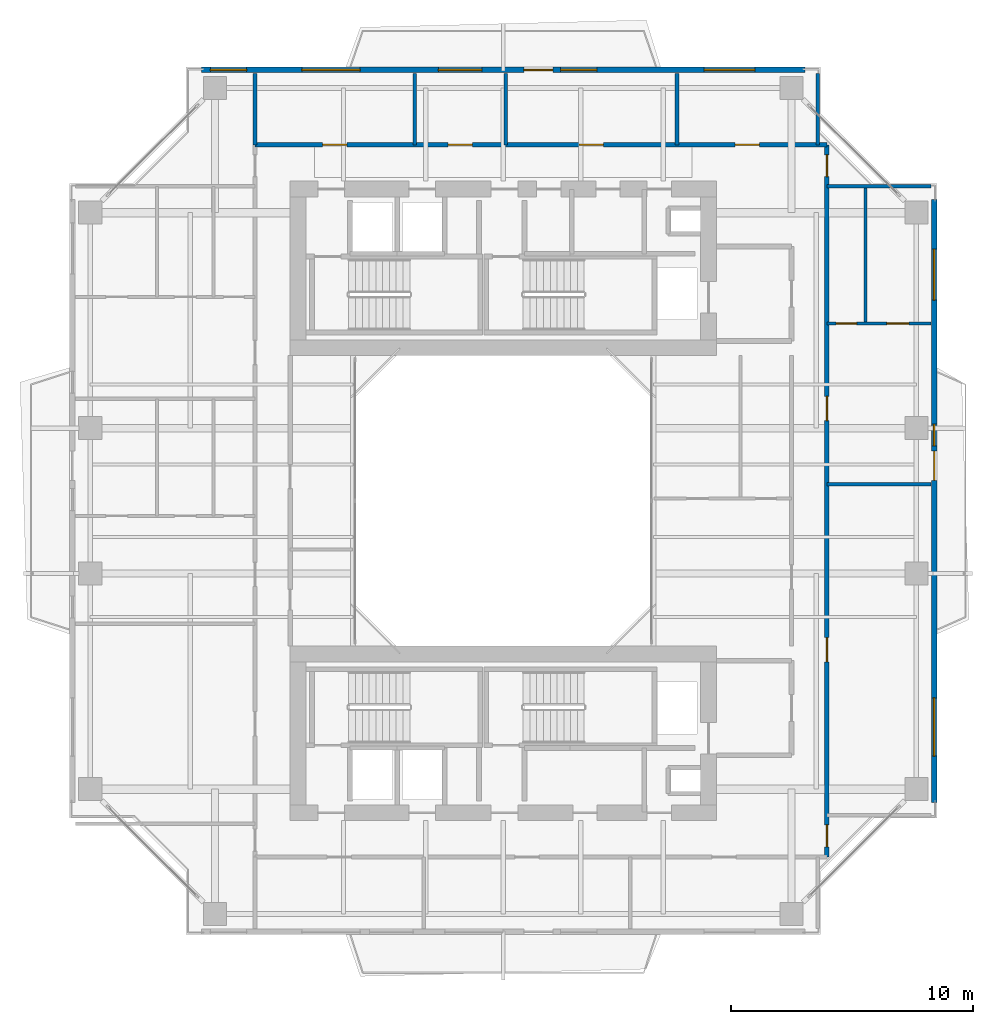
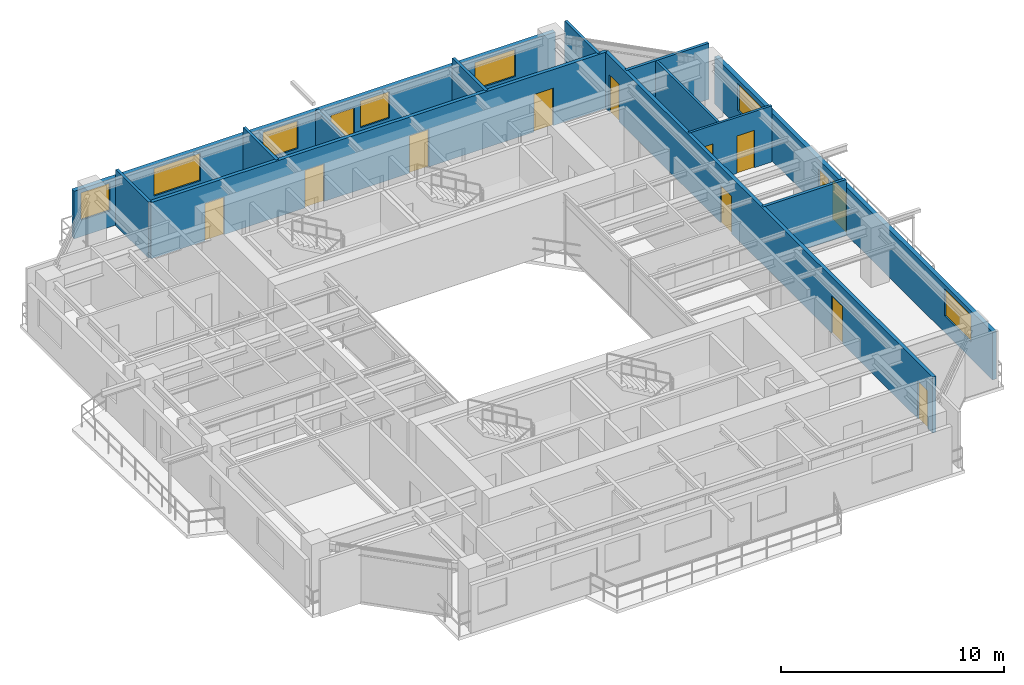
# One storey, part 14 of 18: 13 walls, 12 doors, 8 windows, 20 openings.
"""IFC4 building model written with IfcOpenShell, lengths in metres."""

from ifc_helpers import new_model, si_unit, direction, frame, frame_2d, origin, place, context, subcontext, project, spatial, rectangle, extrude, source, transform, mapped, material, layer, layer_set, type_object, element, fill, save


model = new_model("IFC4")

# Units and contexts
model_context = context("Model", 3, precision=1e-05, world=origin(), true_north=direction((0.0, 1.0)))
body_context = subcontext(model_context, "Body", "Model", "MODEL_VIEW")
ifc_project = project(units=[si_unit("LENGTHUNIT", "METRE"), si_unit("AREAUNIT", "SQUARE_METRE"), si_unit("VOLUMEUNIT", "CUBIC_METRE"), si_unit("PLANEANGLEUNIT", "RADIAN"), si_unit("MASSUNIT", "GRAM", prefix="KILO"), si_unit("THERMODYNAMICTEMPERATUREUNIT", "KELVIN"), si_unit("POWERUNIT", "WATT")], contexts=[model_context])

# Site, building, storey
site_placement = place(None, origin())
site = spatial("IfcSite", under=ifc_project, at=site_placement, CompositionType="ELEMENT")
building_placement = place(site_placement, origin())
building = spatial("IfcBuilding", under=site, at=building_placement, Name="Qiaomeng Ring Towers", CompositionType="ELEMENT")
storey_placement = place(building_placement, frame((0.0, 0.0, 147.0)))
storey = spatial("IfcBuildingStorey", under=building, at=storey_placement, Name="L42", CompositionType="ELEMENT", Elevation=147.0)

# Wall, openings, windows, door
ifc_material_1 = material(Name="Precast concrete C40", Category="concrete")
ifc_layer_1 = layer(ifc_material_1, 0.219970703125, Name="Precast concrete C40")
ifc_layer_set_1 = layer_set([ifc_layer_1], Name="Precast concrete C40")
wall_type_1 = type_object("IfcWallType", Name="ARC-WL-EW2", PredefinedType="STANDARD", material=ifc_layer_set_1)
wall_1_placement = place(storey_placement, frame((6.550048828125, 40.7900390625, 0.0), z_axis=(0.0, 0.0, 1.0), x_axis=(1.0, 0.0, 0.0)))
wall_1 = element("IfcWall", 1, at=wall_1_placement, inside=storey, type_object=wall_type_1, Name="L42 Tower 1 N Exterior Wall", PredefinedType="STANDARD", context=body_context, shape_type="SweptSolid", body=[
    extrude(rectangle(XDim=24.89990234375, YDim=0.219970703125, at=frame_2d((12.449951171875, 0.0))), origin(), (0.0, 0.0, 1.0), 2.610107421875),
])
opening_1_placement = place(wall_1_placement, frame((13.300048828125, 0.0, 0.0)))
opening_1 = element("IfcOpeningElement", 2, at=opening_1_placement, cuts=wall_1, Name="Opening BD1", PredefinedType="OPENING", context=body_context, shape_type="SweptSolid", body=[
    extrude(rectangle(XDim=1.199951171875, YDim=2.10009765625, at=frame_2d((0.60009765625, 1.050048828125))), frame((0.0, 0.119873046875, 0.0), z_axis=(0.0, -1.0, 0.0), x_axis=(1.0, 0.0, 0.0)), (0.0, 0.0, 1.0), 0.239990234375),
])
opening_2_placement = place(wall_1_placement, frame((0.357421875, 0.0, 0.89990234375)))
opening_2 = element("IfcOpeningElement", 3, at=opening_2_placement, cuts=wall_1, Name="Opening WN2", PredefinedType="OPENING", context=body_context, shape_type="SweptSolid", body=[
    extrude(rectangle(XDim=1.5, YDim=1.5, at=frame_2d((0.75, 0.75))), frame((0.0, 0.119873046875, 0.0), z_axis=(0.0, -1.0, 0.0), x_axis=(1.0, 0.0, 0.0)), (0.0, 0.0, 1.0), 0.239990234375),
])
opening_3_placement = place(wall_1_placement, frame((9.77001953125, 0.0, 0.89990234375)))
opening_3 = element("IfcOpeningElement", 4, at=opening_3_placement, cuts=wall_1, Name="Opening WN1", PredefinedType="OPENING", context=body_context, shape_type="SweptSolid", body=[
    extrude(rectangle(XDim=1.800048828125, YDim=1.5, at=frame_2d((0.89990234375, 0.75))), frame((0.0, 0.119873046875, 0.0), z_axis=(0.0, -1.0, 0.0), x_axis=(1.0, 0.0, 0.0)), (0.0, 0.0, 1.0), 0.239990234375),
])
opening_4_placement = place(wall_1_placement, frame((14.81298828125, 0.0, 0.89990234375)))
opening_4 = element("IfcOpeningElement", 5, at=opening_4_placement, cuts=wall_1, Name="Opening WN2", PredefinedType="OPENING", context=body_context, shape_type="SweptSolid", body=[
    extrude(rectangle(XDim=1.5, YDim=1.449951171875, at=frame_2d((0.75, 0.72509765625))), frame((0.0, 0.119873046875, 0.0), z_axis=(0.0, -1.0, 0.0), x_axis=(1.0, 0.0, 0.0)), (0.0, 0.0, 1.0), 0.239990234375),
])
opening_5_placement = place(wall_1_placement, frame((20.738037109375, 0.0, 0.89990234375)))
opening_5 = element("IfcOpeningElement", 6, at=opening_5_placement, cuts=wall_1, Name="Opening WN4", PredefinedType="OPENING", context=body_context, shape_type="SweptSolid", body=[
    extrude(rectangle(XDim=2.10009765625, YDim=1.47998046875, at=frame_2d((1.050048828125, 0.739990234375))), frame((0.0, 0.119873046875, 0.0), z_axis=(0.0, -1.0, 0.0), x_axis=(1.0, 0.0, 0.0)), (0.0, 0.0, 1.0), 0.239990234375),
])
opening_6_placement = place(wall_1_placement, frame((4.136474609375, 0.0, 0.89990234375)))
opening_6 = element("IfcOpeningElement", 7, at=opening_6_placement, cuts=wall_1, Name="Opening WN6", PredefinedType="OPENING", context=body_context, shape_type="SweptSolid", body=[
    extrude(rectangle(XDim=2.39990234375, YDim=1.5, at=frame_2d((1.199951171875, 0.75))), frame((0.0, 0.119873046875, 0.0), z_axis=(0.0, -1.0, 0.0), x_axis=(1.0, 0.0, 0.0)), (0.0, 0.0, 1.0), 0.239990234375),
])
ifc_material_2 = material(Name="Low-E dark-grey laminated double glazing", Category="glass")
window_type_1 = type_object("IfcWindowType", Name="ARC-WN-2", PartitioningType="DOUBLE_PANEL_VERTICAL", PredefinedType="WINDOW", material=ifc_material_2)
shared_shape_1 = source(origin(), body_context, "Body", "SweptSolid", [
    extrude(rectangle(XDim=1.5, YDim=1.449951171875, at=frame_2d((0.75, 0.72509765625))), frame((0.0, 0.030029296875, 0.0), z_axis=(0.0, -1.0, 0.0), x_axis=(1.0, 0.0, 0.0)), (0.0, 0.0, 1.0), 0.06005859375),
])
window_1_placement = place(opening_4_placement, origin())
window_1 = element("IfcWindow", 8, at=window_1_placement, inside=storey, type_object=window_type_1, Name="L42 Exterior Window WN2", OverallHeight=1.449951171875, OverallWidth=1.5, PartitioningType="DOUBLE_PANEL_VERTICAL", PredefinedType="WINDOW", context=body_context, shape_type="MappedRepresentation", body=[
    mapped(shared_shape_1, transform((0.0, 0.0, 0.0), x_axis=(1.0, 0.0, 0.0), y_axis=(0.0, 1.0, 0.0), z_axis=(0.0, 0.0, 1.0), scale=1.0)),
])
fill(opening_4, window_1)
window_type_2 = type_object("IfcWindowType", Name="ARC-WN-4", PartitioningType="TRIPLE_PANEL_VERTICAL", PredefinedType="WINDOW", material=ifc_material_2)
shared_shape_2 = source(origin(), body_context, "Body", "SweptSolid", [
    extrude(rectangle(XDim=2.10009765625, YDim=1.47998046875, at=frame_2d((1.050048828125, 0.739990234375))), frame((0.0, 0.030029296875, 0.0), z_axis=(0.0, -1.0, 0.0), x_axis=(1.0, 0.0, 0.0)), (0.0, 0.0, 1.0), 0.06005859375),
])
window_2_placement = place(opening_5_placement, origin())
window_2 = element("IfcWindow", 9, at=window_2_placement, inside=storey, type_object=window_type_2, Name="L42 Exterior Window WN4", OverallHeight=1.47998046875, OverallWidth=2.10009765625, PartitioningType="TRIPLE_PANEL_VERTICAL", PredefinedType="WINDOW", context=body_context, shape_type="MappedRepresentation", body=[
    mapped(shared_shape_2, transform((0.0, 0.0, 0.0), x_axis=(1.0, 0.0, 0.0), y_axis=(0.0, 1.0, 0.0), z_axis=(0.0, 0.0, 1.0), scale=1.0)),
])
fill(opening_5, window_2)
door_type_1 = type_object("IfcDoorType", Name="ARC-DR-BD1", OperationType="NOTDEFINED", PredefinedType="DOOR", material=ifc_material_2)
shared_shape_3 = source(origin(), body_context, "Body", "SweptSolid", [
    extrude(rectangle(XDim=1.199951171875, YDim=2.10009765625, at=frame_2d((0.60009765625, 1.050048828125))), frame((0.0, 0.02490234375, 0.0), z_axis=(0.0, -1.0, 0.0), x_axis=(1.0, 0.0, 0.0)), (0.0, 0.0, 1.0), 0.050048828125),
])
door_1_placement = place(opening_1_placement, origin())
door_1 = element("IfcDoor", 10, at=door_1_placement, inside=storey, type_object=door_type_1, Name="L42 N Balcony Glazed Door", OperationType="SINGLE_SWING_LEFT", OverallHeight=2.10009765625, OverallWidth=1.199951171875, PredefinedType="DOOR", context=body_context, shape_type="MappedRepresentation", body=[
    mapped(shared_shape_3, transform((0.0, 0.0, 0.0), x_axis=(1.0, 0.0, 0.0), y_axis=(0.0, 1.0, 0.0), z_axis=(0.0, 0.0, 1.0), scale=1.0)),
])
fill(opening_1, door_1)
shared_shape_4 = source(origin(), body_context, "Body", "SweptSolid", [
    extrude(rectangle(XDim=1.5, YDim=1.5, at=frame_2d((0.75, 0.75))), frame((0.0, 0.030029296875, 0.0), z_axis=(0.0, -1.0, 0.0), x_axis=(1.0, 0.0, 0.0)), (0.0, 0.0, 1.0), 0.06005859375),
])
window_3_placement = place(opening_2_placement, origin())
window_3 = element("IfcWindow", 11, at=window_3_placement, inside=storey, type_object=window_type_1, Name="L42 Exterior Window WN6", OverallHeight=1.5, OverallWidth=1.5, PartitioningType="TRIPLE_PANEL_VERTICAL", PredefinedType="WINDOW", context=body_context, shape_type="MappedRepresentation", body=[
    mapped(shared_shape_4, transform((0.0, 0.0, 0.0), x_axis=(1.0, 0.0, 0.0), y_axis=(0.0, 1.0, 0.0), z_axis=(0.0, 0.0, 1.0), scale=1.0)),
])
fill(opening_2, window_3)
window_type_3 = type_object("IfcWindowType", Name="ARC-WN-6", PartitioningType="TRIPLE_PANEL_VERTICAL", PredefinedType="WINDOW", material=ifc_material_2)
shared_shape_5 = source(origin(), body_context, "Body", "SweptSolid", [
    extrude(rectangle(XDim=2.39990234375, YDim=1.5, at=frame_2d((1.199951171875, 0.75))), frame((0.0, 0.030029296875, 0.0), z_axis=(0.0, -1.0, 0.0), x_axis=(1.0, 0.0, 0.0)), (0.0, 0.0, 1.0), 0.06005859375),
])
window_4_placement = place(opening_6_placement, origin())
window_4 = element("IfcWindow", 12, at=window_4_placement, inside=storey, type_object=window_type_3, Name="L42 Exterior Window WN6", OverallHeight=1.5, OverallWidth=2.39990234375, PartitioningType="TRIPLE_PANEL_VERTICAL", PredefinedType="WINDOW", context=body_context, shape_type="MappedRepresentation", body=[
    mapped(shared_shape_5, transform((0.0, 0.0, 0.0), x_axis=(1.0, 0.0, 0.0), y_axis=(0.0, 1.0, 0.0), z_axis=(0.0, 0.0, 1.0), scale=1.0)),
])
fill(opening_6, window_4)
window_type_4 = type_object("IfcWindowType", Name="ARC-WN-1", PartitioningType="DOUBLE_PANEL_VERTICAL", PredefinedType="WINDOW", material=ifc_material_2)
shared_shape_6 = source(origin(), body_context, "Body", "SweptSolid", [
    extrude(rectangle(XDim=1.800048828125, YDim=1.5, at=frame_2d((0.89990234375, 0.75))), frame((0.0, 0.030029296875, 0.0), z_axis=(0.0, -1.0, 0.0), x_axis=(1.0, 0.0, 0.0)), (0.0, 0.0, 1.0), 0.06005859375),
])
window_5_placement = place(opening_3_placement, origin())
window_5 = element("IfcWindow", 13, at=window_5_placement, inside=storey, type_object=window_type_4, Name="L42 Exterior Window WN1", OverallHeight=1.5, OverallWidth=1.800048828125, PartitioningType="DOUBLE_PANEL_VERTICAL", PredefinedType="WINDOW", context=body_context, shape_type="MappedRepresentation", body=[
    mapped(shared_shape_6, transform((0.0, 0.0, 0.0), x_axis=(1.0, 0.0, 0.0), y_axis=(0.0, 1.0, 0.0), z_axis=(0.0, 0.0, 1.0), scale=1.0)),
])
fill(opening_3, window_5)

wall_2_placement = place(storey_placement, frame((36.7900390625, 10.550048828125, 0.0), z_axis=(0.0, 0.0, 1.0), x_axis=(0.0, 1.0, 0.0)))
wall_2 = element("IfcWall", 14, at=wall_2_placement, inside=storey, type_object=wall_type_1, Name="L42 Tower 1 E Exterior Wall", PredefinedType="STANDARD", context=body_context, shape_type="SweptSolid", body=[
    extrude(rectangle(XDim=24.89990234375, YDim=0.219970703125, at=frame_2d((12.449951171875, 0.0))), origin(), (0.0, 0.0, 1.0), 2.610107421875),
])
opening_7_placement = place(wall_2_placement, frame((13.300048828125, 0.0, 0.0)))
opening_7 = element("IfcOpeningElement", 15, at=opening_7_placement, cuts=wall_2, Name="Opening BD1", PredefinedType="OPENING", context=body_context, shape_type="SweptSolid", body=[
    extrude(rectangle(XDim=1.199951171875, YDim=2.10009765625, at=frame_2d((0.60009765625, 1.050048828125))), frame((0.0, 0.119873046875, 0.0), z_axis=(0.0, -1.0, 0.0), x_axis=(1.0, 0.0, 0.0)), (0.0, 0.0, 1.0), 0.239990234375),
])
opening_8_placement = place(wall_2_placement, frame((1.912109375, 0.0, 0.89990234375)))
opening_8 = element("IfcOpeningElement", 16, at=opening_8_placement, cuts=wall_2, Name="Opening WN6", PredefinedType="OPENING", context=body_context, shape_type="SweptSolid", body=[
    extrude(rectangle(XDim=2.39990234375, YDim=1.47998046875, at=frame_2d((1.199951171875, 0.739990234375))), frame((0.0, 0.119873046875, 0.0), z_axis=(0.0, -1.0, 0.0), x_axis=(1.0, 0.0, 0.0)), (0.0, 0.0, 1.0), 0.239990234375),
])
opening_9_placement = place(wall_2_placement, frame((20.737060546875, 0.0, 0.89990234375)))
opening_9 = element("IfcOpeningElement", 17, at=opening_9_placement, cuts=wall_2, Name="Opening WN4", PredefinedType="OPENING", context=body_context, shape_type="SweptSolid", body=[
    extrude(rectangle(XDim=2.10009765625, YDim=1.47998046875, at=frame_2d((1.050048828125, 0.739990234375))), frame((0.0, 0.119873046875, 0.0), z_axis=(0.0, -1.0, 0.0), x_axis=(1.0, 0.0, 0.0)), (0.0, 0.0, 1.0), 0.239990234375),
])
opening_10_placement = place(wall_2_placement, frame((14.719970703125, 0.0, 0.89990234375)))
opening_10 = element("IfcOpeningElement", 18, at=opening_10_placement, cuts=wall_2, Name="Opening WN5", PredefinedType="OPENING", context=body_context, shape_type="SweptSolid", body=[
    extrude(rectangle(XDim=0.89990234375, YDim=1.199951171875, at=frame_2d((0.449951171875, 0.60009765625))), frame((0.0, 0.119873046875, 0.0), z_axis=(0.0, -1.0, 0.0), x_axis=(1.0, 0.0, 0.0)), (0.0, 0.0, 1.0), 0.239990234375),
])
window_6_placement = place(opening_9_placement, origin())
window_6 = element("IfcWindow", 19, at=window_6_placement, inside=storey, type_object=window_type_2, Name="L42 Exterior Window WN4", OverallHeight=1.47998046875, OverallWidth=2.10009765625, PartitioningType="TRIPLE_PANEL_VERTICAL", PredefinedType="WINDOW", context=body_context, shape_type="MappedRepresentation", body=[
    mapped(shared_shape_2, transform((0.0, 0.0, 0.0), x_axis=(1.0, 0.0, 0.0), y_axis=(0.0, 1.0, 0.0), z_axis=(0.0, 0.0, 1.0), scale=1.0)),
])
fill(opening_9, window_6)
shared_shape_7 = source(origin(), body_context, "Body", "SweptSolid", [
    extrude(rectangle(XDim=2.39990234375, YDim=1.47998046875, at=frame_2d((1.199951171875, 0.739990234375))), frame((0.0, 0.030029296875, 0.0), z_axis=(0.0, -1.0, 0.0), x_axis=(1.0, 0.0, 0.0)), (0.0, 0.0, 1.0), 0.06005859375),
])
window_7_placement = place(opening_8_placement, origin())
window_7 = element("IfcWindow", 20, at=window_7_placement, inside=storey, type_object=window_type_3, Name="L42 Exterior Window WN6", OverallHeight=1.47998046875, OverallWidth=2.39990234375, PartitioningType="TRIPLE_PANEL_VERTICAL", PredefinedType="WINDOW", context=body_context, shape_type="MappedRepresentation", body=[
    mapped(shared_shape_7, transform((0.0, 0.0, 0.0), x_axis=(1.0, 0.0, 0.0), y_axis=(0.0, 1.0, 0.0), z_axis=(0.0, 0.0, 1.0), scale=1.0)),
])
fill(opening_8, window_7)
door_2_placement = place(opening_7_placement, origin())
door_2 = element("IfcDoor", 21, at=door_2_placement, inside=storey, type_object=door_type_1, Name="L42 E Balcony Glazed Door", OperationType="SINGLE_SWING_LEFT", OverallHeight=2.10009765625, OverallWidth=1.199951171875, PredefinedType="DOOR", context=body_context, shape_type="MappedRepresentation", body=[
    mapped(shared_shape_3, transform((0.0, 0.0, 0.0), x_axis=(1.0, 0.0, 0.0), y_axis=(0.0, 1.0, 0.0), z_axis=(0.0, 0.0, 1.0), scale=1.0)),
])
fill(opening_7, door_2)
window_type_5 = type_object("IfcWindowType", Name="ARC-WN-5", PartitioningType="SINGLE_PANEL", PredefinedType="WINDOW", material=ifc_material_2)
shared_shape_8 = source(origin(), body_context, "Body", "SweptSolid", [
    extrude(rectangle(XDim=0.89990234375, YDim=1.199951171875, at=frame_2d((0.449951171875, 0.60009765625))), frame((0.0, 0.030029296875, 0.0), z_axis=(0.0, -1.0, 0.0), x_axis=(1.0, 0.0, 0.0)), (0.0, 0.0, 1.0), 0.06005859375),
])
window_8_placement = place(opening_10_placement, origin())
window_8 = element("IfcWindow", 22, at=window_8_placement, inside=storey, type_object=window_type_5, Name="L42 Exterior Window WN5", OverallHeight=1.199951171875, OverallWidth=0.89990234375, PartitioningType="SINGLE_PANEL", PredefinedType="WINDOW", context=body_context, shape_type="MappedRepresentation", body=[
    mapped(shared_shape_8, transform((0.0, 0.0, 0.0), x_axis=(1.0, 0.0, 0.0), y_axis=(0.0, 1.0, 0.0), z_axis=(0.0, 0.0, 1.0), scale=1.0)),
])
fill(opening_10, window_8)

# Wall, openings, doors
ifc_material_3 = material(Name="Autoclaved aerated concrete block", Category="concrete")
ifc_layer_2 = layer(ifc_material_3, 0.179931640625, Name="Autoclaved aerated concrete block")
ifc_layer_set_2 = layer_set([ifc_layer_2], Name="Autoclaved aerated concrete block")
wall_type_2 = type_object("IfcWallType", Name="ARC-WL-PW2", PredefinedType="PARTITIONING", material=ifc_layer_set_2)
wall_3_placement = place(storey_placement, frame((8.75, 37.699951171875, 0.0), z_axis=(0.0, 0.0, 1.0), x_axis=(1.0, 0.0, 0.0)))
wall_3 = element("IfcWall", 23, at=wall_3_placement, inside=storey, type_object=wall_type_2, Name="L42 Interior Wall PW2", PredefinedType="PARTITIONING", context=body_context, shape_type="SweptSolid", body=[
    extrude(rectangle(XDim=23.610107421875, YDim=0.179931640625, at=frame_2d((11.80517578125, 0.0))), origin(), (0.0, 0.0, 1.0), 3.070068359375),
])
opening_11_placement = place(wall_3_placement, frame((2.794921875, 0.0, 0.0)))
opening_11 = element("IfcOpeningElement", 24, at=opening_11_placement, cuts=wall_3, Name="Opening FD4", PredefinedType="OPENING", context=body_context, shape_type="SweptSolid", body=[
    extrude(rectangle(XDim=1.0, YDim=2.050048828125, at=frame_2d((0.5, 1.02490234375))), frame((0.0, 0.099853515625, 0.0), z_axis=(0.0, -1.0, 0.0), x_axis=(1.0, 0.0, 0.0)), (0.0, 0.0, 1.0), 0.199951171875),
])
opening_12_placement = place(wall_3_placement, frame((7.969970703125, 0.0, 0.0)))
opening_12 = element("IfcOpeningElement", 25, at=opening_12_placement, cuts=wall_3, Name="Opening FD4", PredefinedType="OPENING", context=body_context, shape_type="SweptSolid", body=[
    extrude(rectangle(XDim=1.0, YDim=2.050048828125, at=frame_2d((0.5, 1.02490234375))), frame((0.0, 0.099853515625, 0.0), z_axis=(0.0, -1.0, 0.0), x_axis=(1.0, 0.0, 0.0)), (0.0, 0.0, 1.0), 0.199951171875),
])
opening_13_placement = place(wall_3_placement, frame((13.385009765625, 0.0, 0.0)))
opening_13 = element("IfcOpeningElement", 26, at=opening_13_placement, cuts=wall_3, Name="Opening FD4", PredefinedType="OPENING", context=body_context, shape_type="SweptSolid", body=[
    extrude(rectangle(XDim=1.0, YDim=2.050048828125, at=frame_2d((0.5, 1.02490234375))), frame((0.0, 0.099853515625, 0.0), z_axis=(0.0, -1.0, 0.0), x_axis=(1.0, 0.0, 0.0)), (0.0, 0.0, 1.0), 0.199951171875),
])
opening_14_placement = place(wall_3_placement, frame((19.824951171875, 0.0, 0.0)))
opening_14 = element("IfcOpeningElement", 27, at=opening_14_placement, cuts=wall_3, Name="Opening FD4", PredefinedType="OPENING", context=body_context, shape_type="SweptSolid", body=[
    extrude(rectangle(XDim=1.0, YDim=2.050048828125, at=frame_2d((0.5, 1.02490234375))), frame((0.0, 0.099853515625, 0.0), z_axis=(0.0, -1.0, 0.0), x_axis=(1.0, 0.0, 0.0)), (0.0, 0.0, 1.0), 0.199951171875),
])
ifc_material_4 = material(Name="Engineered fire-rated oak timber", Category="wood")
door_type_2 = type_object("IfcDoorType", Name="ARC-DR-FD4", OperationType="NOTDEFINED", PredefinedType="DOOR", material=ifc_material_4)
shared_shape_9 = source(origin(), body_context, "Body", "SweptSolid", [
    extrude(rectangle(XDim=1.0, YDim=2.050048828125, at=frame_2d((0.5, 1.02490234375))), frame((0.0, 0.02490234375, 0.0), z_axis=(0.0, -1.0, 0.0), x_axis=(1.0, 0.0, 0.0)), (0.0, 0.0, 1.0), 0.050048828125),
])
door_3_placement = place(opening_11_placement, origin())
door_3 = element("IfcDoor", 28, at=door_3_placement, inside=storey, type_object=door_type_2, Name="L42 Door FD4", OperationType="SINGLE_SWING_LEFT", OverallHeight=2.050048828125, OverallWidth=1.0, PredefinedType="DOOR", context=body_context, shape_type="MappedRepresentation", body=[
    mapped(shared_shape_9, transform((0.0, 0.0, 0.0), x_axis=(1.0, 0.0, 0.0), y_axis=(0.0, 1.0, 0.0), z_axis=(0.0, 0.0, 1.0), scale=1.0)),
])
fill(opening_11, door_3)
door_4_placement = place(opening_12_placement, origin())
door_4 = element("IfcDoor", 29, at=door_4_placement, inside=storey, type_object=door_type_2, Name="L42 Door FD4", OperationType="SINGLE_SWING_RIGHT", OverallHeight=2.050048828125, OverallWidth=1.0, PredefinedType="DOOR", context=body_context, shape_type="MappedRepresentation", body=[
    mapped(shared_shape_9, transform((0.0, 0.0, 0.0), x_axis=(1.0, 0.0, 0.0), y_axis=(0.0, 1.0, 0.0), z_axis=(0.0, 0.0, 1.0), scale=1.0)),
])
fill(opening_12, door_4)
door_5_placement = place(opening_13_placement, origin())
door_5 = element("IfcDoor", 30, at=door_5_placement, inside=storey, type_object=door_type_2, Name="L42 Door FD4", OperationType="SINGLE_SWING_LEFT", OverallHeight=2.050048828125, OverallWidth=1.0, PredefinedType="DOOR", context=body_context, shape_type="MappedRepresentation", body=[
    mapped(shared_shape_9, transform((0.0, 0.0, 0.0), x_axis=(1.0, 0.0, 0.0), y_axis=(0.0, 1.0, 0.0), z_axis=(0.0, 0.0, 1.0), scale=1.0)),
])
fill(opening_13, door_5)
door_6_placement = place(opening_14_placement, origin())
door_6 = element("IfcDoor", 31, at=door_6_placement, inside=storey, type_object=door_type_2, Name="L42 Door FD4", OperationType="SINGLE_SWING_RIGHT", OverallHeight=2.050048828125, OverallWidth=1.0, PredefinedType="DOOR", context=body_context, shape_type="MappedRepresentation", body=[
    mapped(shared_shape_9, transform((0.0, 0.0, 0.0), x_axis=(1.0, 0.0, 0.0), y_axis=(0.0, 1.0, 0.0), z_axis=(0.0, 0.0, 1.0), scale=1.0)),
])
fill(opening_14, door_6)

wall_4_placement = place(storey_placement, frame((32.360107421875, 8.300048828125, 0.0), z_axis=(0.0, 0.0, 1.0), x_axis=(0.0, 1.0, 0.0)))
wall_4 = element("IfcWall", 32, at=wall_4_placement, inside=storey, type_object=wall_type_2, Name="L42 Interior Wall PW2", PredefinedType="PARTITIONING", context=body_context, shape_type="SweptSolid", body=[
    extrude(rectangle(XDim=29.39990234375, YDim=0.179931640625, at=frame_2d((14.699951171875, 0.0))), origin(), (0.0, 0.0, 1.0), 3.070068359375),
])
opening_15_placement = place(wall_4_placement, frame((28.080078125, 0.0, 0.0)))
opening_15 = element("IfcOpeningElement", 33, at=opening_15_placement, cuts=wall_4, Name="Opening ID1", PredefinedType="OPENING", context=body_context, shape_type="SweptSolid", body=[
    extrude(rectangle(XDim=0.89990234375, YDim=2.050048828125, at=frame_2d((0.449951171875, 1.02490234375))), frame((0.0, 0.099853515625, 0.0), z_axis=(0.0, -1.0, 0.0), x_axis=(1.0, 0.0, 0.0)), (0.0, 0.0, 1.0), 0.199951171875),
])
opening_16_placement = place(wall_4_placement, frame((0.419921875, 0.0, 0.0)))
opening_16 = element("IfcOpeningElement", 34, at=opening_16_placement, cuts=wall_4, Name="Opening ID1", PredefinedType="OPENING", context=body_context, shape_type="SweptSolid", body=[
    extrude(rectangle(XDim=0.89990234375, YDim=2.050048828125, at=frame_2d((0.449951171875, 1.02490234375))), frame((0.0, 0.099853515625, 0.0), z_axis=(0.0, -1.0, 0.0), x_axis=(1.0, 0.0, 0.0)), (0.0, 0.0, 1.0), 0.199951171875),
])
opening_17_placement = place(wall_4_placement, frame((8.050048828125, 0.0, 0.0)))
opening_17 = element("IfcOpeningElement", 35, at=opening_17_placement, cuts=wall_4, Name="Opening FD4", PredefinedType="OPENING", context=body_context, shape_type="SweptSolid", body=[
    extrude(rectangle(XDim=1.0, YDim=2.050048828125, at=frame_2d((0.5, 1.02490234375))), frame((0.0, 0.099853515625, 0.0), z_axis=(0.0, -1.0, 0.0), x_axis=(1.0, 0.0, 0.0)), (0.0, 0.0, 1.0), 0.199951171875),
])
opening_18_placement = place(wall_4_placement, frame((18.010009765625, 0.0, 0.0)))
opening_18 = element("IfcOpeningElement", 36, at=opening_18_placement, cuts=wall_4, Name="Opening FD4", PredefinedType="OPENING", context=body_context, shape_type="SweptSolid", body=[
    extrude(rectangle(XDim=1.0, YDim=2.050048828125, at=frame_2d((0.5, 1.02490234375))), frame((0.0, 0.099853515625, 0.0), z_axis=(0.0, -1.0, 0.0), x_axis=(1.0, 0.0, 0.0)), (0.0, 0.0, 1.0), 0.199951171875),
])
door_7_placement = place(opening_17_placement, origin())
door_7 = element("IfcDoor", 37, at=door_7_placement, inside=storey, type_object=door_type_2, Name="L42 Door FD4", OperationType="SINGLE_SWING_LEFT", OverallHeight=2.050048828125, OverallWidth=1.0, PredefinedType="DOOR", context=body_context, shape_type="MappedRepresentation", body=[
    mapped(shared_shape_9, transform((0.0, 0.0, 0.0), x_axis=(1.0, 0.0, 0.0), y_axis=(0.0, 1.0, 0.0), z_axis=(0.0, 0.0, 1.0), scale=1.0)),
])
fill(opening_17, door_7)
door_8_placement = place(opening_18_placement, origin())
door_8 = element("IfcDoor", 38, at=door_8_placement, inside=storey, type_object=door_type_2, Name="L42 Door FD4", OperationType="SINGLE_SWING_RIGHT", OverallHeight=2.050048828125, OverallWidth=1.0, PredefinedType="DOOR", context=body_context, shape_type="MappedRepresentation", body=[
    mapped(shared_shape_9, transform((0.0, 0.0, 0.0), x_axis=(1.0, 0.0, 0.0), y_axis=(0.0, 1.0, 0.0), z_axis=(0.0, 0.0, 1.0), scale=1.0)),
])
fill(opening_18, door_8)
ifc_material_5 = material(Name="Engineered oak timber", Category="wood")
door_type_3 = type_object("IfcDoorType", Name="ARC-DR-ID1", OperationType="NOTDEFINED", PredefinedType="DOOR", material=ifc_material_5)
shared_shape_10 = source(origin(), body_context, "Body", "SweptSolid", [
    extrude(rectangle(XDim=0.89990234375, YDim=2.050048828125, at=frame_2d((0.449951171875, 1.02490234375))), frame((0.0, 0.02490234375, 0.0), z_axis=(0.0, -1.0, 0.0), x_axis=(1.0, 0.0, 0.0)), (0.0, 0.0, 1.0), 0.050048828125),
])
door_9_placement = place(opening_15_placement, origin())
door_9 = element("IfcDoor", 39, at=door_9_placement, inside=storey, type_object=door_type_3, Name="L42 Door ID1", OperationType="SINGLE_SWING_LEFT", OverallHeight=2.050048828125, OverallWidth=0.89990234375, PredefinedType="DOOR", context=body_context, shape_type="MappedRepresentation", body=[
    mapped(shared_shape_10, transform((0.0, 0.0, 0.0), x_axis=(1.0, 0.0, 0.0), y_axis=(0.0, 1.0, 0.0), z_axis=(0.0, 0.0, 1.0), scale=1.0)),
])
fill(opening_15, door_9)
door_10_placement = place(opening_16_placement, origin())
door_10 = element("IfcDoor", 40, at=door_10_placement, inside=storey, type_object=door_type_3, Name="L42 Door ID1", OperationType="SINGLE_SWING_RIGHT", OverallHeight=2.050048828125, OverallWidth=0.89990234375, PredefinedType="DOOR", context=body_context, shape_type="MappedRepresentation", body=[
    mapped(shared_shape_10, transform((0.0, 0.0, 0.0), x_axis=(1.0, 0.0, 0.0), y_axis=(0.0, 1.0, 0.0), z_axis=(0.0, 0.0, 1.0), scale=1.0)),
])
fill(opening_16, door_10)

# Walls
ifc_material_6 = material(Name="Gypsum fireboard steel-stud partition", Category="steel")
ifc_layer_3 = layer(ifc_material_6, 0.14990234375, Name="Gypsum fireboard steel-stud partition")
ifc_layer_set_3 = layer_set([ifc_layer_3], Name="Gypsum fireboard steel-stud partition")
wall_type_3 = type_object("IfcWallType", Name="ARC-WL-PW3", PredefinedType="PARTITIONING", material=ifc_layer_set_3)
wall_5_placement = place(storey_placement, frame((15.340087890625, 37.699951171875, 0.0), z_axis=(0.0, 0.0, 1.0), x_axis=(0.0, 1.0, 0.0)))
element("IfcWall", 41, at=wall_5_placement, inside=storey, type_object=wall_type_3, Name="L42 Interior Wall PW3", PredefinedType="PARTITIONING", context=body_context, shape_type="SweptSolid", body=[
    extrude(rectangle(XDim=2.949951171875, YDim=0.14990234375, at=frame_2d((1.47509765625, 0.0))), origin(), (0.0, 0.0, 1.0), 3.070068359375),
])
wall_6_placement = place(storey_placement, frame((19.10009765625, 37.699951171875, 0.0), z_axis=(0.0, 0.0, 1.0), x_axis=(0.0, 1.0, 0.0)))
element("IfcWall", 42, at=wall_6_placement, inside=storey, type_object=wall_type_3, Name="L42 Interior Wall PW3", PredefinedType="PARTITIONING", context=body_context, shape_type="SweptSolid", body=[
    extrude(rectangle(XDim=2.949951171875, YDim=0.14990234375, at=frame_2d((1.47509765625, 0.0))), origin(), (0.0, 0.0, 1.0), 2.715087890625),
])
for number, where, z_axis, x_axis, name in (
    (43, (26.169921875, 37.699951171875, 0.0), (0.0, 0.0, 1.0), (0.0, 1.0, 0.0), "L42 Interior Wall PW3"),
    (44, (8.75, 37.699951171875, 0.0), (0.0, 0.0, 1.0), (0.0, 1.0, 0.0), "L42 Interior Wall PW3"),
    (45, (31.97998046875, 37.699951171875, 0.0), (0.0, 0.0, 1.0), (0.0, 1.0, 0.0), "L42 Interior Wall PW3"),
):
    element("IfcWall", number, at=place(storey_placement, frame(where, z_axis=z_axis, x_axis=x_axis)), inside=storey, type_object=wall_type_3, Name=name, PredefinedType="PARTITIONING", context=body_context, shape_type="SweptSolid", body=[
        extrude(rectangle(XDim=2.949951171875, YDim=0.14990234375, at=frame_2d((1.47509765625, 0.0))), origin(), (0.0, 0.0, 1.0), 3.070068359375),
    ])
for number, where, z_axis, x_axis, name in (
    (46, (32.360107421875, 35.97998046875, 0.0), (0.0, 0.0, 1.0), (1.0, 0.0, 0.0), "L42 Interior Wall PW3"),
    (47, (32.360107421875, 23.679931640625, 0.0), (0.0, 0.0, 1.0), (1.0, 0.0, 0.0), "L42 Interior Wall PW3"),
):
    element("IfcWall", number, at=place(storey_placement, frame(where, z_axis=z_axis, x_axis=x_axis)), inside=storey, type_object=wall_type_3, Name=name, PredefinedType="PARTITIONING", context=body_context, shape_type="SweptSolid", body=[
        extrude(rectangle(XDim=4.289794921875, YDim=0.14990234375, at=frame_2d((2.14501953125, 0.0))), origin(), (0.0, 0.0, 1.0), 3.070068359375),
    ])

# Wall, openings, doors
ifc_material_7 = material(Name="Moisture-resistant gypsum steel-stud partition", Category="steel")
ifc_layer_4 = layer(ifc_material_7, 0.1201171875, Name="Moisture-resistant gypsum steel-stud partition")
ifc_layer_set_4 = layer_set([ifc_layer_4], Name="Moisture-resistant gypsum steel-stud partition")
wall_type_4 = type_object("IfcWallType", Name="ARC-WL-PW4", PredefinedType="PLUMBINGWALL", material=ifc_layer_set_4)
wall_7_placement = place(storey_placement, frame((32.360107421875, 30.320068359375, 0.0), z_axis=(0.0, 0.0, 1.0), x_axis=(1.0, 0.0, 0.0)))
wall_7 = element("IfcWall", 48, at=wall_7_placement, inside=storey, type_object=wall_type_4, Name="L42 Interior Wall PW4", PredefinedType="PLUMBINGWALL", context=body_context, shape_type="SweptSolid", body=[
    extrude(rectangle(XDim=4.289794921875, YDim=0.1201171875, at=frame_2d((2.14501953125, 0.0))), origin(), (0.0, 0.0, 1.0), 3.070068359375),
])
opening_19_placement = place(wall_7_placement, frame((0.3798828125, 0.0, 0.0)))
opening_19 = element("IfcOpeningElement", 49, at=opening_19_placement, cuts=wall_7, Name="Opening ID2", PredefinedType="OPENING", context=body_context, shape_type="SweptSolid", body=[
    extrude(rectangle(XDim=0.85009765625, YDim=2.050048828125, at=frame_2d((0.425048828125, 1.02490234375))), frame((0.0, 0.070068359375, 0.0), z_axis=(0.0, -1.0, 0.0), x_axis=(1.0, 0.0, 0.0)), (0.0, 0.0, 1.0), 0.14013671875),
])
opening_20_placement = place(wall_7_placement, frame((2.47998046875, 0.0, 0.0)))
opening_20 = element("IfcOpeningElement", 50, at=opening_20_placement, cuts=wall_7, Name="Opening ID1", PredefinedType="OPENING", context=body_context, shape_type="SweptSolid", body=[
    extrude(rectangle(XDim=0.89990234375, YDim=2.050048828125, at=frame_2d((0.449951171875, 1.02490234375))), frame((0.0, 0.070068359375, 0.0), z_axis=(0.0, -1.0, 0.0), x_axis=(1.0, 0.0, 0.0)), (0.0, 0.0, 1.0), 0.14013671875),
])
ifc_material_8 = material(Name="Moisture-resistant engineered timber", Category="wood")
door_type_4 = type_object("IfcDoorType", Name="ARC-DR-ID2", OperationType="NOTDEFINED", PredefinedType="DOOR", material=ifc_material_8)
shared_shape_11 = source(origin(), body_context, "Body", "SweptSolid", [
    extrude(rectangle(XDim=0.85009765625, YDim=2.050048828125, at=frame_2d((0.425048828125, 1.02490234375))), frame((0.0, 0.02490234375, 0.0), z_axis=(0.0, -1.0, 0.0), x_axis=(1.0, 0.0, 0.0)), (0.0, 0.0, 1.0), 0.050048828125),
])
door_11_placement = place(opening_19_placement, origin())
door_11 = element("IfcDoor", 51, at=door_11_placement, inside=storey, type_object=door_type_4, Name="L42 Door ID2", OperationType="SINGLE_SWING_RIGHT", OverallHeight=2.050048828125, OverallWidth=0.85009765625, PredefinedType="DOOR", context=body_context, shape_type="MappedRepresentation", body=[
    mapped(shared_shape_11, transform((0.0, 0.0, 0.0), x_axis=(1.0, 0.0, 0.0), y_axis=(0.0, 1.0, 0.0), z_axis=(0.0, 0.0, 1.0), scale=1.0)),
])
fill(opening_19, door_11)
door_12_placement = place(opening_20_placement, origin())
door_12 = element("IfcDoor", 52, at=door_12_placement, inside=storey, type_object=door_type_3, Name="L42 Door ID1", OperationType="SINGLE_SWING_LEFT", OverallHeight=2.050048828125, OverallWidth=0.89990234375, PredefinedType="DOOR", context=body_context, shape_type="MappedRepresentation", body=[
    mapped(shared_shape_10, transform((0.0, 0.0, 0.0), x_axis=(1.0, 0.0, 0.0), y_axis=(0.0, 1.0, 0.0), z_axis=(0.0, 0.0, 1.0), scale=1.0)),
])
fill(opening_20, door_12)

# Wall
wall_8_placement = place(storey_placement, frame((33.949951171875, 30.320068359375, 0.0), z_axis=(0.0, 0.0, 1.0), x_axis=(0.0, 1.0, 0.0)))
element("IfcWall", 53, at=wall_8_placement, inside=storey, type_object=wall_type_4, Name="L42 Interior Wall PW4", PredefinedType="PLUMBINGWALL", context=body_context, shape_type="SweptSolid", body=[
    extrude(rectangle(XDim=5.659912109375, YDim=0.1201171875, at=frame_2d((2.830078125, 0.0))), origin(), (0.0, 0.0, 1.0), 3.070068359375),
])

save(model, "model.ifc")
